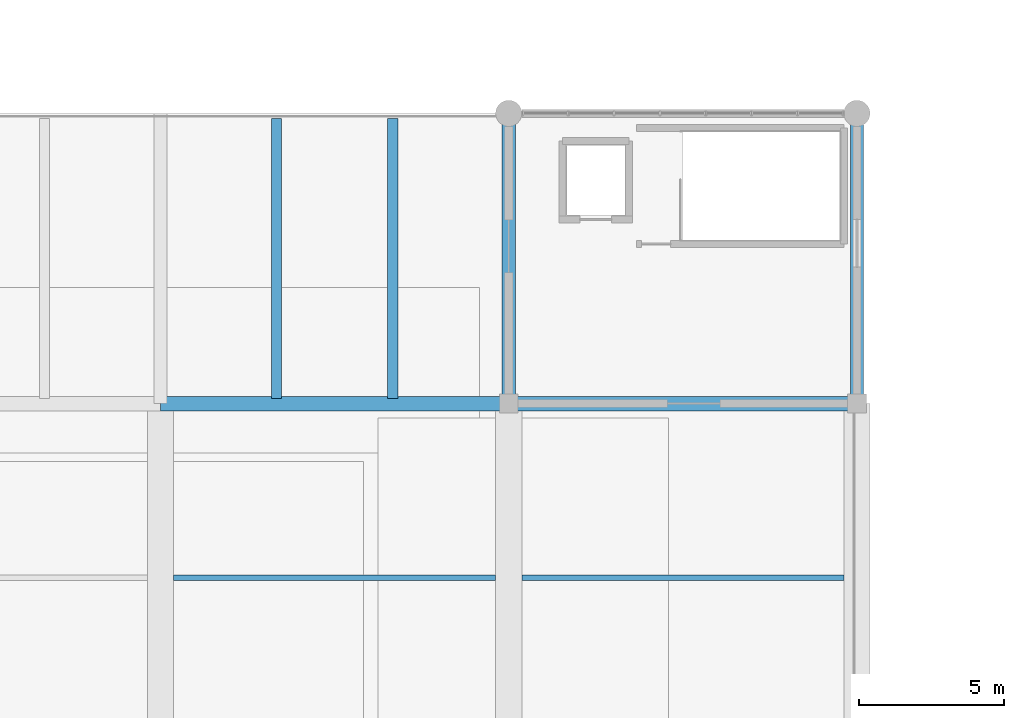
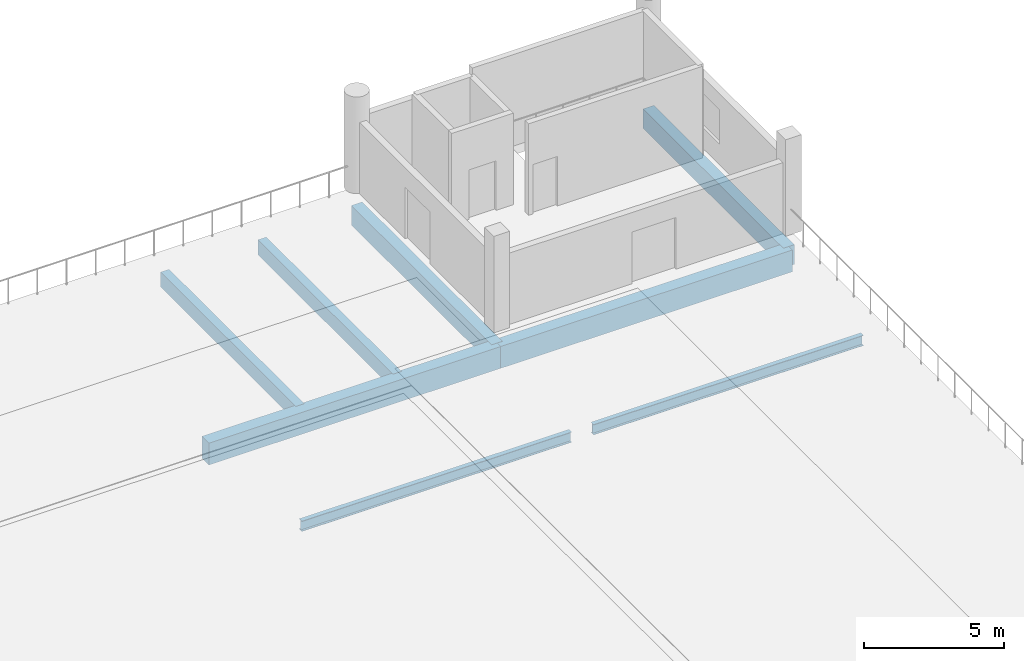
# One storey, part 17 of 111: 8 beams.
"""IFC4 building model written with IfcOpenShell, lengths in metres."""

from ifc_helpers import new_model, si_unit, direction, frame, origin, origin_2d, place, context, subcontext, project, spatial, rectangle, i_section, extrude, material, material_profile, profile_set, type_object, element, save


model = new_model("IFC4")

# Units and contexts
model_context = context("Model", 3, precision=1e-05, world=origin(), true_north=direction((0.0, 1.0)))
body_context = subcontext(model_context, "Body", "Model", "MODEL_VIEW")
ifc_project = project(units=[si_unit("LENGTHUNIT", "METRE"), si_unit("AREAUNIT", "SQUARE_METRE"), si_unit("VOLUMEUNIT", "CUBIC_METRE"), si_unit("PLANEANGLEUNIT", "RADIAN"), si_unit("MASSUNIT", "GRAM", prefix="KILO")], contexts=[model_context])

# Site, building, storey
site_placement = place(None, origin())
site = spatial("IfcSite", under=ifc_project, at=site_placement, CompositionType="ELEMENT")
building_placement = place(site_placement, origin())
building = spatial("IfcBuilding", under=site, at=building_placement, Name="Mersad Railyard Sports Hall", CompositionType="ELEMENT")
storey_placement = place(building_placement, frame((0.0, 0.0, 9.0)))
storey = spatial("IfcBuildingStorey", under=building, at=storey_placement, Name="L02", CompositionType="ELEMENT", Elevation=9.0)

# Beams
ifc_material_1 = material(Name="Concrete C40/50", Category="concrete")
ifc_material_profile_1 = material_profile(ifc_material_1, rectangle(XDim=0.449951171875, YDim=0.85009765625, at=origin_2d()), Name="RC 450x850")
ifc_profile_set_1 = profile_set([ifc_material_profile_1], Name="Concrete C40/50")
beam_type_1 = type_object("IfcBeamType", Name="STR-BM-B02", PredefinedType="BEAM", material=ifc_profile_set_1)
for number, where, z_axis, x_axis, name in (
    (1, (79.0, 43.5, -1.175048828125), (0.0, 1.0, 0.0), (-1.0, 0.0, 0.0), "Beam B02-0452"),
    (2, (91.0, 43.5, -1.175048828125), (0.0, 1.0, 0.0), (-1.0, 0.0, 0.0), "Beam B02-0453"),
):
    element("IfcBeam", number, at=place(storey_placement, frame(where, z_axis=z_axis, x_axis=x_axis)), inside=storey, type_object=beam_type_1, Name=name, PredefinedType="BEAM", context=body_context, shape_type="SweptSolid", body=[
        extrude(rectangle(XDim=0.449951171875, YDim=0.85009765625, at=origin_2d()), origin(), (0.0, 0.0, 1.0), 10.0),
    ])
ifc_material_2 = material(Name="Concrete C50/60", Category="concrete")
ifc_material_profile_2 = material_profile(ifc_material_2, rectangle(XDim=0.5, YDim=0.949951171875, at=origin_2d()), Name="RC 500x950")
ifc_profile_set_2 = profile_set([ifc_material_profile_2], Name="Concrete C50/60")
beam_type_2 = type_object("IfcBeamType", Name="STR-BM-B03", PredefinedType="BEAM", material=ifc_profile_set_2)
for number, where, z_axis, x_axis, name in (
    (3, (67.0, 43.5, -1.22509765625), (1.0, 0.0, 0.0), (0.0, 1.0, 0.0), "Beam B03-0444"),
    (4, (79.0, 43.5, -1.22509765625), (1.0, 0.0, 0.0), (0.0, 1.0, 0.0), "Beam B03-0445"),
):
    element("IfcBeam", number, at=place(storey_placement, frame(where, z_axis=z_axis, x_axis=x_axis)), inside=storey, type_object=beam_type_2, Name=name, PredefinedType="BEAM", context=body_context, shape_type="SweptSolid", body=[
        extrude(rectangle(XDim=0.5, YDim=0.949951171875, at=origin_2d()), origin(), (0.0, 0.0, 1.0), 12.0),
    ])
ifc_material_profile_3 = material_profile(ifc_material_1, rectangle(XDim=0.35009765625, YDim=0.64990234375, at=origin_2d()), Name="RC 350x650")
ifc_profile_set_3 = profile_set([ifc_material_profile_3], Name="Concrete C40/50")
beam_type_3 = type_object("IfcBeamType", Name="STR-BM-J01", PredefinedType="JOIST", material=ifc_profile_set_3)
for number, where, z_axis, x_axis, name in (
    (5, (71.0, 43.679931640625, -1.074951171875), (0.0, 1.0, 0.0), (-1.0, 0.0, 0.0), "Beam J01-0474"),
    (6, (75.0, 43.679931640625, -1.074951171875), (0.0, 1.0, 0.0), (-1.0, 0.0, 0.0), "Beam J01-0475"),
):
    element("IfcBeam", number, at=place(storey_placement, frame(where, z_axis=z_axis, x_axis=x_axis)), inside=storey, type_object=beam_type_3, Name=name, PredefinedType="JOIST", context=body_context, shape_type="SweptSolid", body=[
        extrude(rectangle(XDim=0.35009765625, YDim=0.64990234375, at=origin_2d()), origin(), (0.0, 0.0, 1.0), 9.64013671875),
    ])
ifc_material_3 = material(Name="Steel S355", Category="steel")
ifc_material_profile_4 = material_profile(ifc_material_3, i_section(OverallWidth=0.18994140625, OverallDepth=0.449951171875, WebThickness=0.009521484375, FlangeThickness=0.0146484375, at=origin_2d()), Name="IPE 450")
ifc_profile_set_4 = profile_set([ifc_material_profile_4], Name="Steel S355")
beam_type_4 = type_object("IfcBeamType", Name="STR-BM-SB01", PredefinedType="BEAM", material=ifc_profile_set_4)
for number, where, z_axis, x_axis, name in (
    (7, (67.449951171875, 37.5, -0.985107421875), (1.0, 0.0, 0.0), (0.0, 1.0, 0.0), "Beam SB01-0499"),
    (8, (79.449951171875, 37.5, -0.985107421875), (1.0, 0.0, 0.0), (0.0, 1.0, 0.0), "Beam SB01-0503"),
):
    element("IfcBeam", number, at=place(storey_placement, frame(where, z_axis=z_axis, x_axis=x_axis)), inside=storey, type_object=beam_type_4, Name=name, PredefinedType="BEAM", context=body_context, shape_type="SweptSolid", body=[
        extrude(i_section(OverallWidth=0.18994140625, OverallDepth=0.449951171875, WebThickness=0.009521484375, FlangeThickness=0.0146484375, at=origin_2d()), origin(), (0.0, 0.0, 1.0), 11.10009765625),
    ])

save(model, "model.ifc")
